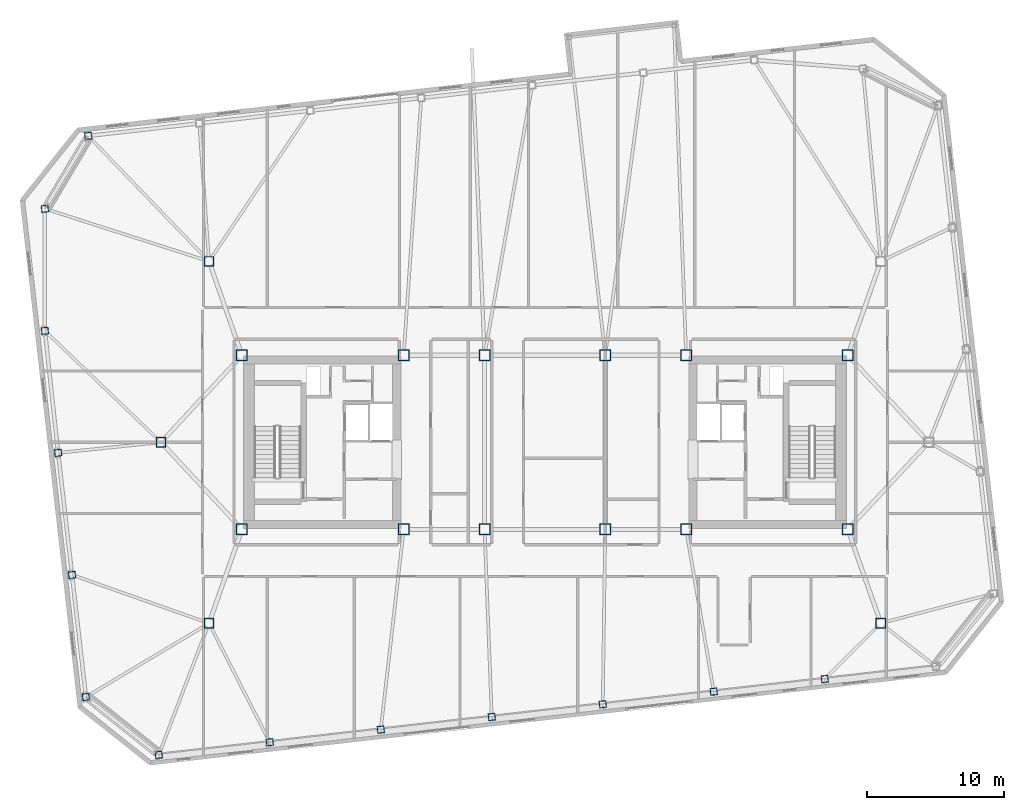
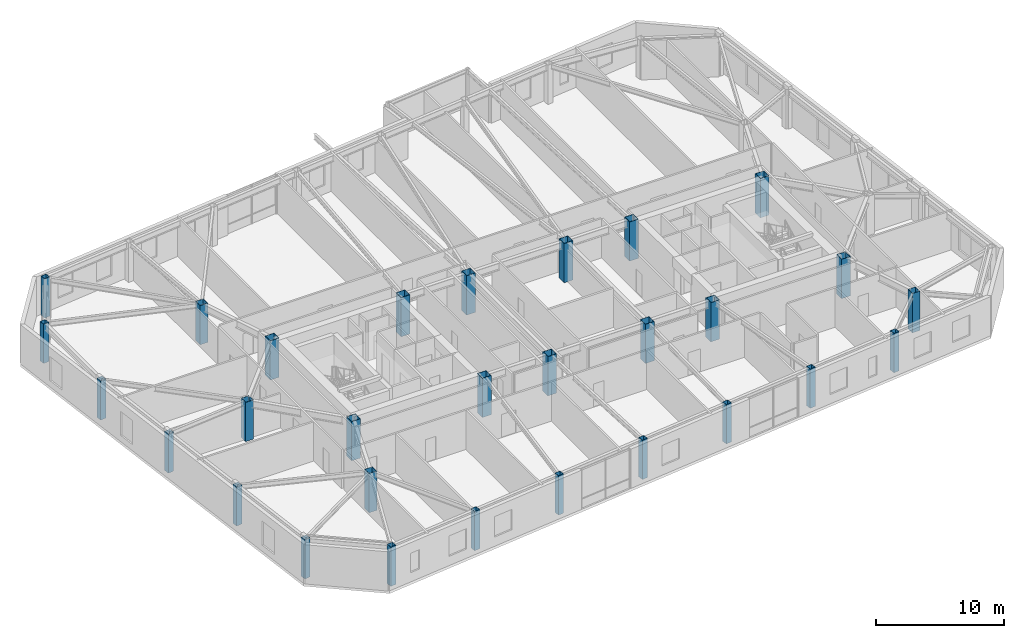
# One storey, part 1 of 21: 29 columns.
"""IFC4 building model written with IfcOpenShell, lengths in metres."""

from ifc_helpers import new_model, si_unit, direction, frame, origin, origin_2d, place, context, subcontext, project, spatial, hollow_rectangle, extrude, material, material_profile, profile_set, type_object, element, save


model = new_model("IFC4")

# Units and contexts
model_context = context("Model", 3, precision=1e-05, world=origin(), true_north=direction((0.0, 1.0)))
body_context = subcontext(model_context, "Body", "Model", "MODEL_VIEW")
ifc_project = project(units=[si_unit("LENGTHUNIT", "METRE"), si_unit("AREAUNIT", "SQUARE_METRE"), si_unit("VOLUMEUNIT", "CUBIC_METRE"), si_unit("PLANEANGLEUNIT", "RADIAN"), si_unit("MASSUNIT", "GRAM", prefix="KILO")], contexts=[model_context])

# Site, building, storey
site_placement = place(None, origin())
site = spatial("IfcSite", under=ifc_project, at=site_placement, CompositionType="ELEMENT")
building_placement = place(site_placement, origin())
building = spatial("IfcBuilding", under=site, at=building_placement, Name="Tavrogorsk Clinical Tower", CompositionType="ELEMENT")
storey_placement = place(building_placement, frame((0.0, 0.0, 247.0)))
storey = spatial("IfcBuildingStorey", under=building, at=storey_placement, Name="L57", CompositionType="ELEMENT", Elevation=247.0)

# Columns
ifc_material_1 = material(Name="Structural steel S440", Category="steel")
ifc_material_profile_1 = material_profile(ifc_material_1, hollow_rectangle(XDim=0.699951171875, YDim=0.699951171875, WallThickness=0.031982421875, at=origin_2d()), Name="BOX-700x700x32")
ifc_profile_set_1 = profile_set([ifc_material_profile_1], Name="Structural steel S440")
column_type_1 = type_object("IfcColumnType", Name="MegaCol_BOX700", PredefinedType="COLUMN", material=ifc_profile_set_1)
for number, where, z_axis, x_axis, name in (
    (1, (-24.5, -13.199951171875, 0.0), (0.0, 0.0, 1.0), (1.0, 0.0, 0.0), "L57 Spine Pilotis Column MC-P1"),
    (2, (24.5, -13.199951171875, 0.0), (0.0, 0.0, 1.0), (1.0, 0.0, 0.0), "L57 Spine Pilotis Column MC-P2"),
    (3, (-24.5, 13.199951171875, 0.0), (0.0, 0.0, 1.0), (1.0, 0.0, 0.0), "L57 Spine Pilotis Column MC-P3"),
    (4, (-28.0, 0.0, 0.0), (0.0, 0.0, 1.0), (1.0, 0.0, 0.0), "L57 Spine Pilotis Column MC-P5"),
):
    element("IfcColumn", number, at=place(storey_placement, frame(where, z_axis=z_axis, x_axis=x_axis)), inside=storey, type_object=column_type_1, Name=name, PredefinedType="COLUMN", context=body_context, shape_type="SweptSolid", body=[
        extrude(hollow_rectangle(XDim=0.699951171875, YDim=0.699951171875, WallThickness=0.031982421875, at=origin_2d()), origin(), (0.0, 0.0, 1.0), 3.739990234375),
    ])
ifc_material_2 = material(Name="Structural steel S440", Category="steel")
ifc_material_profile_2 = material_profile(ifc_material_2, hollow_rectangle(XDim=0.800048828125, YDim=0.800048828125, WallThickness=0.035888671875, at=origin_2d()), Name="BOX-800x800x36")
ifc_profile_set_2 = profile_set([ifc_material_profile_2], Name="Structural steel S440")
column_type_2 = type_object("IfcColumnType", Name="MegaCol_BOX800", PredefinedType="COLUMN", material=ifc_profile_set_2)
for number, where, z_axis, x_axis, name in (
    (5, (-22.10009765625, -6.35009765625, 0.0), (0.0, 0.0, 1.0), (1.0, 0.0, 0.0), "L57 Mega Column MC-W1"),
    (6, (-22.10009765625, 6.35009765625, 0.0), (0.0, 0.0, 1.0), (1.0, 0.0, 0.0), "L57 Mega Column MC-W2"),
    (7, (-10.300048828125, -6.35009765625, 0.0), (0.0, 0.0, 1.0), (1.0, 0.0, 0.0), "L57 Mega Column MC-W3"),
    (8, (-10.300048828125, 6.35009765625, 0.0), (0.0, 0.0, 1.0), (1.0, 0.0, 0.0), "L57 Mega Column MC-W4"),
    (9, (10.300048828125, -6.35009765625, 0.0), (0.0, 0.0, 1.0), (1.0, 0.0, 0.0), "L57 Mega Column MC-E1"),
    (10, (10.300048828125, 6.35009765625, 0.0), (0.0, 0.0, 1.0), (1.0, 0.0, 0.0), "L57 Mega Column MC-E2"),
    (11, (22.10009765625, -6.35009765625, 0.0), (0.0, 0.0, 1.0), (1.0, 0.0, 0.0), "L57 Mega Column MC-E3"),
    (12, (22.10009765625, 6.35009765625, 0.0), (0.0, 0.0, 1.0), (1.0, 0.0, 0.0), "L57 Mega Column MC-E4"),
    (13, (-4.39990234375, -6.35009765625, 0.0), (0.0, 0.0, 1.0), (1.0, 0.0, 0.0), "L57 Mega Column MC-C1"),
    (14, (4.39990234375, -6.35009765625, 0.0), (0.0, 0.0, 1.0), (1.0, 0.0, 0.0), "L57 Mega Column MC-C2"),
    (15, (-4.39990234375, 6.35009765625, 0.0), (0.0, 0.0, 1.0), (1.0, 0.0, 0.0), "L57 Mega Column MC-C3"),
    (16, (4.39990234375, 6.35009765625, 0.0), (0.0, 0.0, 1.0), (1.0, 0.0, 0.0), "L57 Mega Column MC-C4"),
):
    element("IfcColumn", number, at=place(storey_placement, frame(where, z_axis=z_axis, x_axis=x_axis)), inside=storey, type_object=column_type_2, Name=name, PredefinedType="COLUMN", context=body_context, shape_type="SweptSolid", body=[
        extrude(hollow_rectangle(XDim=0.800048828125, YDim=0.800048828125, WallThickness=0.035888671875, at=origin_2d()), origin(), (0.0, 0.0, 1.0), 3.739990234375),
    ])
ifc_material_3 = material(Name="Structural steel S440", Category="steel")
ifc_material_profile_3 = material_profile(ifc_material_3, hollow_rectangle(XDim=0.5, YDim=0.5, WallThickness=0.02490234375, at=origin_2d()), Name="BOX-500x500x25")
ifc_profile_set_3 = profile_set([ifc_material_profile_3], Name="Structural steel S440")
column_type_3 = type_object("IfcColumnType", Name="PerimCol_B4_BOX500", PredefinedType="COLUMN", material=ifc_profile_set_3)
for number, where, z_axis, x_axis, name in (
    (17, (-28.164794921875, -22.802490234375, 0.0), (0.0, 0.0, 1.0), (0.993571855677, 0.113203213768, 0.0), "L57 Perimeter Column S1"),
    (18, (-20.068603515625, -21.880126953125, 0.0), (0.0, 0.0, 1.0), (0.993571855677, 0.113203213768, 0.0), "L57 Perimeter Column S2"),
    (19, (-11.972412109375, -20.95751953125, 0.0), (0.0, 0.0, 1.0), (0.993571855677, 0.113203213768, 0.0), "L57 Perimeter Column S3"),
    (20, (-3.876220703125, -20.03515625, 0.0), (0.0, 0.0, 1.0), (0.993571855677, 0.113203213768, 0.0), "L57 Perimeter Column S4"),
    (21, (4.22021484375, -19.11279296875, 0.0), (0.0, 0.0, 1.0), (0.993571855677, 0.113203213768, 0.0), "L57 Perimeter Column S5"),
    (22, (12.31640625, -18.190185546875, 0.0), (0.0, 0.0, 1.0), (0.993571855677, 0.113203213768, 0.0), "L57 Perimeter Column S6"),
    (23, (20.412353515625, -17.267822265625, 0.0), (0.0, 0.0, 1.0), (0.993571855677, 0.113203213768, 0.0), "L57 Perimeter Column S7"),
    (24, (-33.30859375, 22.345458984375, 0.0), (0.0, 0.0, 1.0), (0.993571855677, 0.113203213768, 0.0), "L57 Perimeter Column N8"),
    (25, (-36.469970703125, 17.032958984375, 0.0), (0.0, 0.0, 1.0), (0.993571855677, 0.113203213768, 0.0), "L57 Perimeter Column W1"),
    (26, (-36.469970703125, 8.130615234375, 0.0), (0.0, 0.0, 1.0), (0.993571855677, 0.113203213768, 0.0), "L57 Perimeter Column W2"),
    (27, (-35.505859375, -0.77197265625, 0.0), (0.0, 0.0, 1.0), (0.993571855677, 0.113203213768, 0.0), "L57 Perimeter Column W3"),
    (28, (-34.491455078125, -9.67431640625, 0.0), (0.0, 0.0, 1.0), (0.993571855677, 0.113203213768, 0.0), "L57 Perimeter Column W4"),
    (29, (-33.477294921875, -18.57666015625, 0.0), (0.0, 0.0, 1.0), (0.993571855677, 0.113203213768, 0.0), "L57 Perimeter Column W5"),
):
    element("IfcColumn", number, at=place(storey_placement, frame(where, z_axis=z_axis, x_axis=x_axis)), inside=storey, type_object=column_type_3, Name=name, PredefinedType="COLUMN", context=body_context, shape_type="SweptSolid", body=[
        extrude(hollow_rectangle(XDim=0.5, YDim=0.5, WallThickness=0.02490234375, at=origin_2d()), origin(), (0.0, 0.0, 1.0), 3.739990234375),
    ])

save(model, "model.ifc")
